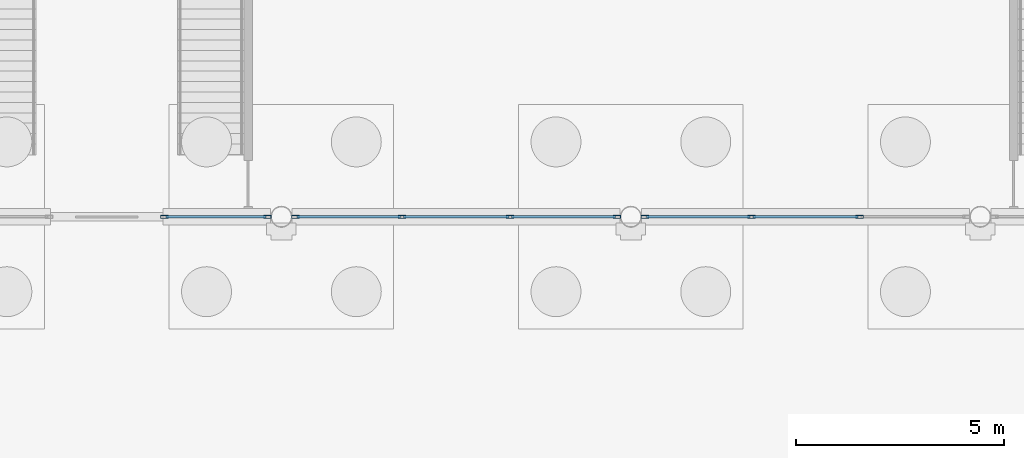
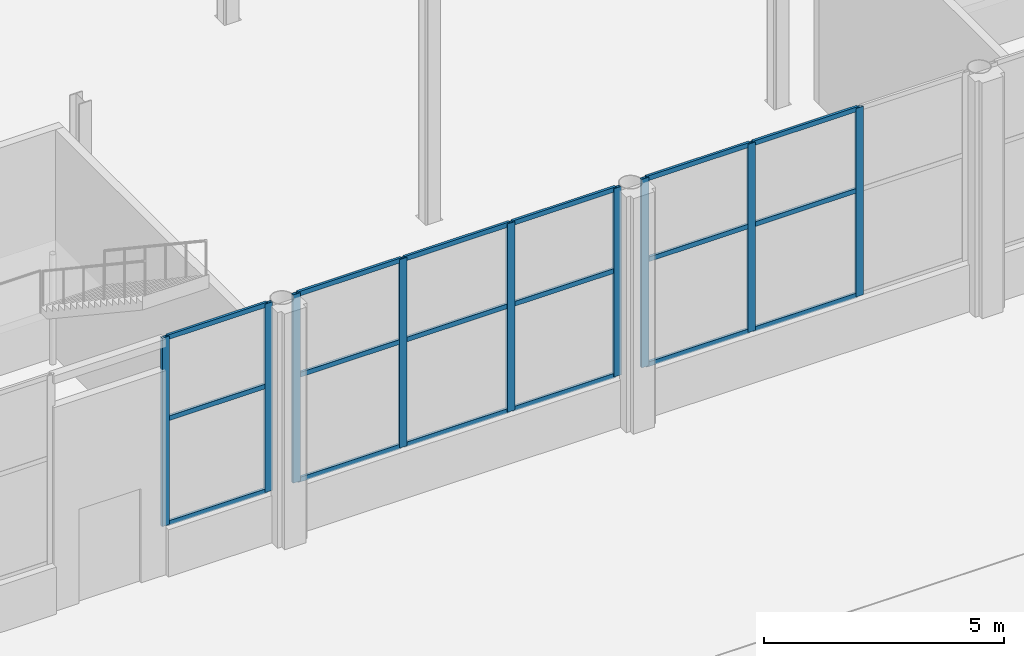
# One storey, part 109 of 212: 27 members, 3 elements without a shape of their own.
"""IFC4 building model written with IfcOpenShell, lengths in metres."""

from ifc_helpers import new_model, si_unit, direction, frame, origin, origin_2d, place, context, subcontext, project, spatial, hollow_rectangle, extrude, material, material_profile, profile_set, type_object, element, aggregate, save


model = new_model("IFC4")

# Units and contexts
model_context = context("Model", 3, precision=1e-05, world=origin(), true_north=direction((0.0, 1.0)))
body_context = subcontext(model_context, "Body", "Model", "MODEL_VIEW")
ifc_project = project(units=[si_unit("LENGTHUNIT", "METRE"), si_unit("AREAUNIT", "SQUARE_METRE"), si_unit("VOLUMEUNIT", "CUBIC_METRE"), si_unit("PLANEANGLEUNIT", "RADIAN"), si_unit("MASSUNIT", "GRAM", prefix="KILO")], contexts=[model_context])

# Site, building, storey
site_placement = place(None, origin())
site = spatial("IfcSite", under=ifc_project, at=site_placement, CompositionType="ELEMENT")
building_placement = place(site_placement, origin())
building = spatial("IfcBuilding", under=site, at=building_placement, Name="Catenary Quay Ferry Terminal", CompositionType="ELEMENT")
storey_placement = place(building_placement, origin())
storey = spatial("IfcBuildingStorey", under=building, at=storey_placement, Name="L00", CompositionType="ELEMENT", Elevation=0.0)

# Curtain wall, members
ifc_material_1 = material(Name="Aluminium and glass", Category="aluminium")
curtain_wall_type = type_object("IfcCurtainWallType", Name="CWH", PredefinedType="NOTDEFINED", material=ifc_material_1)
curtain_wall_1_placement = place(storey_placement, origin())
curtain_wall_1 = element("IfcCurtainWall", 1, at=curtain_wall_1_placement, inside=storey, type_object=curtain_wall_type, Name="Hall curtain wall CW27", PredefinedType="NOTDEFINED")
ifc_material_2 = material(Name="Aluminium", Category="aluminium")
ifc_material_profile_1 = material_profile(ifc_material_2, hollow_rectangle(XDim=0.070068359375, YDim=0.179931640625, WallThickness=0.006103515625, at=origin_2d()), Name="MU3")
ifc_profile_set_1 = profile_set([ifc_material_profile_1], Name="Aluminium")
member_type_1 = type_object("IfcMemberType", Name="MU3", PredefinedType="MULLION", material=ifc_profile_set_1)
member_1_placement = place(storey_placement, frame((64.385009765625, 67.199951171875, 1.199951171875), z_axis=(0.0, 0.0, 1.0), x_axis=(0.0, 1.0, 0.0)))
member_1 = element("IfcMember", 2, at=member_1_placement, type_object=member_type_1, Name="CW27 mullion 1", PredefinedType="MULLION", context=body_context, shape_type="SweptSolid", body=[
    extrude(hollow_rectangle(XDim=0.070068359375, YDim=0.179931640625, WallThickness=0.006103515625, at=origin_2d()), origin(), (0.0, 0.0, 1.0), 4.800048828125),
])
member_2_placement = place(storey_placement, frame((66.864990234375, 67.199951171875, 1.199951171875), z_axis=(0.0, 0.0, 1.0), x_axis=(0.0, 1.0, 0.0)))
member_2 = element("IfcMember", 3, at=member_2_placement, type_object=member_type_1, Name="CW27 mullion 2", PredefinedType="MULLION", context=body_context, shape_type="SweptSolid", body=[
    extrude(hollow_rectangle(XDim=0.070068359375, YDim=0.179931640625, WallThickness=0.006103515625, at=origin_2d()), origin(), (0.0, 0.0, 1.0), 4.800048828125),
])

curtain_wall_2_placement = place(storey_placement, origin())
curtain_wall_2 = element("IfcCurtainWall", 4, at=curtain_wall_2_placement, inside=storey, type_object=curtain_wall_type, Name="Hall curtain wall CW28", PredefinedType="NOTDEFINED")
member_3_placement = place(storey_placement, frame((67.534912109375, 67.199951171875, 1.199951171875), z_axis=(0.0, 0.0, 1.0), x_axis=(0.0, 1.0, 0.0)))
member_3 = element("IfcMember", 5, at=member_3_placement, type_object=member_type_1, Name="CW28 mullion 1", PredefinedType="MULLION", context=body_context, shape_type="SweptSolid", body=[
    extrude(hollow_rectangle(XDim=0.070068359375, YDim=0.179931640625, WallThickness=0.006103515625, at=origin_2d()), origin(), (0.0, 0.0, 1.0), 4.800048828125),
])
member_4_placement = place(storey_placement, frame((70.10009765625, 67.199951171875, 1.199951171875), z_axis=(0.0, 0.0, 1.0), x_axis=(0.0, 1.0, 0.0)))
member_4 = element("IfcMember", 6, at=member_4_placement, type_object=member_type_1, Name="CW28 mullion 2", PredefinedType="MULLION", context=body_context, shape_type="SweptSolid", body=[
    extrude(hollow_rectangle(XDim=0.070068359375, YDim=0.179931640625, WallThickness=0.006103515625, at=origin_2d()), origin(), (0.0, 0.0, 1.0), 4.800048828125),
])
member_5_placement = place(storey_placement, frame((72.699951171875, 67.199951171875, 1.199951171875), z_axis=(0.0, 0.0, 1.0), x_axis=(0.0, 1.0, 0.0)))
member_5 = element("IfcMember", 7, at=member_5_placement, type_object=member_type_1, Name="CW28 mullion 3", PredefinedType="MULLION", context=body_context, shape_type="SweptSolid", body=[
    extrude(hollow_rectangle(XDim=0.070068359375, YDim=0.179931640625, WallThickness=0.006103515625, at=origin_2d()), origin(), (0.0, 0.0, 1.0), 4.800048828125),
])
member_6_placement = place(storey_placement, frame((75.264892578125, 67.199951171875, 1.199951171875), z_axis=(0.0, 0.0, 1.0), x_axis=(0.0, 1.0, 0.0)))
member_6 = element("IfcMember", 8, at=member_6_placement, type_object=member_type_1, Name="CW28 mullion 4", PredefinedType="MULLION", context=body_context, shape_type="SweptSolid", body=[
    extrude(hollow_rectangle(XDim=0.070068359375, YDim=0.179931640625, WallThickness=0.006103515625, at=origin_2d()), origin(), (0.0, 0.0, 1.0), 4.800048828125),
])

curtain_wall_3_placement = place(storey_placement, origin())
curtain_wall_3 = element("IfcCurtainWall", 9, at=curtain_wall_3_placement, inside=storey, type_object=curtain_wall_type, Name="Hall curtain wall CW29", PredefinedType="NOTDEFINED")
member_7_placement = place(storey_placement, frame((75.93505859375, 67.199951171875, 1.199951171875), z_axis=(0.0, 0.0, 1.0), x_axis=(0.0, 1.0, 0.0)))
member_7 = element("IfcMember", 10, at=member_7_placement, type_object=member_type_1, Name="CW29 mullion 1", PredefinedType="MULLION", context=body_context, shape_type="SweptSolid", body=[
    extrude(hollow_rectangle(XDim=0.070068359375, YDim=0.179931640625, WallThickness=0.006103515625, at=origin_2d()), origin(), (0.0, 0.0, 1.0), 4.800048828125),
])
member_8_placement = place(storey_placement, frame((78.5, 67.199951171875, 1.199951171875), z_axis=(0.0, 0.0, 1.0), x_axis=(0.0, 1.0, 0.0)))
member_8 = element("IfcMember", 11, at=member_8_placement, type_object=member_type_1, Name="CW29 mullion 2", PredefinedType="MULLION", context=body_context, shape_type="SweptSolid", body=[
    extrude(hollow_rectangle(XDim=0.070068359375, YDim=0.179931640625, WallThickness=0.006103515625, at=origin_2d()), origin(), (0.0, 0.0, 1.0), 4.800048828125),
])
member_9_placement = place(storey_placement, frame((81.10009765625, 67.199951171875, 1.199951171875), z_axis=(0.0, 0.0, 1.0), x_axis=(0.0, 1.0, 0.0)))
member_9 = element("IfcMember", 12, at=member_9_placement, type_object=member_type_1, Name="CW29 mullion 3", PredefinedType="MULLION", context=body_context, shape_type="SweptSolid", body=[
    extrude(hollow_rectangle(XDim=0.070068359375, YDim=0.179931640625, WallThickness=0.006103515625, at=origin_2d()), origin(), (0.0, 0.0, 1.0), 4.800048828125),
])

# Member
ifc_material_3 = material(Name="Aluminium", Category="aluminium")
ifc_material_profile_2 = material_profile(ifc_material_3, hollow_rectangle(XDim=0.06005859375, YDim=0.1201171875, WallThickness=0.0048828125, at=origin_2d()), Name="TR3")
ifc_profile_set_2 = profile_set([ifc_material_profile_2], Name="Aluminium")
member_type_2 = type_object("IfcMemberType", Name="TR3", PredefinedType="USERDEFINED", material=ifc_profile_set_2)
member_10_placement = place(storey_placement, frame((64.419921875, 67.199951171875, 1.22998046875), z_axis=(1.0, 0.0, 0.0), x_axis=(0.0, 1.0, 0.0)))
member_10 = element("IfcMember", 13, at=member_10_placement, type_object=member_type_2, Name="CW27 transom 1.1", ObjectType="TRANSOM", PredefinedType="USERDEFINED", context=body_context, shape_type="SweptSolid", body=[
    extrude(hollow_rectangle(XDim=0.06005859375, YDim=0.1201171875, WallThickness=0.0048828125, at=origin_2d()), origin(), (0.0, 0.0, 1.0), 2.41015625),
])

member_11_placement = place(storey_placement, frame((64.419921875, 67.199951171875, 3.89990234375), z_axis=(1.0, 0.0, 0.0), x_axis=(0.0, 1.0, 0.0)))
member_11 = element("IfcMember", 14, at=member_11_placement, type_object=member_type_2, Name="CW27 transom 1.2", ObjectType="TRANSOM", PredefinedType="USERDEFINED", context=body_context, shape_type="SweptSolid", body=[
    extrude(hollow_rectangle(XDim=0.06005859375, YDim=0.1201171875, WallThickness=0.0048828125, at=origin_2d()), origin(), (0.0, 0.0, 1.0), 2.41015625),
])

member_12_placement = place(storey_placement, frame((64.419921875, 67.199951171875, 5.969970703125), z_axis=(1.0, 0.0, 0.0), x_axis=(0.0, 1.0, 0.0)))
member_12 = element("IfcMember", 15, at=member_12_placement, type_object=member_type_2, Name="CW27 transom 1.3", ObjectType="TRANSOM", PredefinedType="USERDEFINED", context=body_context, shape_type="SweptSolid", body=[
    extrude(hollow_rectangle(XDim=0.06005859375, YDim=0.1201171875, WallThickness=0.0048828125, at=origin_2d()), origin(), (0.0, 0.0, 1.0), 2.41015625),
])

aggregate(curtain_wall_1, [member_1, member_2, member_10, member_11, member_12])

member_13_placement = place(storey_placement, frame((67.570068359375, 67.199951171875, 1.22998046875), z_axis=(1.0, 0.0, 0.0), x_axis=(0.0, 1.0, 0.0)))
member_13 = element("IfcMember", 16, at=member_13_placement, type_object=member_type_2, Name="CW28 transom 1.1", ObjectType="TRANSOM", PredefinedType="USERDEFINED", context=body_context, shape_type="SweptSolid", body=[
    extrude(hollow_rectangle(XDim=0.06005859375, YDim=0.1201171875, WallThickness=0.0048828125, at=origin_2d()), origin(), (0.0, 0.0, 1.0), 2.494873046875),
])

member_14_placement = place(storey_placement, frame((67.570068359375, 67.199951171875, 3.89990234375), z_axis=(1.0, 0.0, 0.0), x_axis=(0.0, 1.0, 0.0)))
member_14 = element("IfcMember", 17, at=member_14_placement, type_object=member_type_2, Name="CW28 transom 1.2", ObjectType="TRANSOM", PredefinedType="USERDEFINED", context=body_context, shape_type="SweptSolid", body=[
    extrude(hollow_rectangle(XDim=0.06005859375, YDim=0.1201171875, WallThickness=0.0048828125, at=origin_2d()), origin(), (0.0, 0.0, 1.0), 2.494873046875),
])

member_15_placement = place(storey_placement, frame((67.570068359375, 67.199951171875, 5.969970703125), z_axis=(1.0, 0.0, 0.0), x_axis=(0.0, 1.0, 0.0)))
member_15 = element("IfcMember", 18, at=member_15_placement, type_object=member_type_2, Name="CW28 transom 1.3", ObjectType="TRANSOM", PredefinedType="USERDEFINED", context=body_context, shape_type="SweptSolid", body=[
    extrude(hollow_rectangle(XDim=0.06005859375, YDim=0.1201171875, WallThickness=0.0048828125, at=origin_2d()), origin(), (0.0, 0.0, 1.0), 2.494873046875),
])

member_16_placement = place(storey_placement, frame((70.135009765625, 67.199951171875, 1.22998046875), z_axis=(1.0, 0.0, 0.0), x_axis=(0.0, 1.0, 0.0)))
member_16 = element("IfcMember", 19, at=member_16_placement, type_object=member_type_2, Name="CW28 transom 2.1", ObjectType="TRANSOM", PredefinedType="USERDEFINED", context=body_context, shape_type="SweptSolid", body=[
    extrude(hollow_rectangle(XDim=0.06005859375, YDim=0.1201171875, WallThickness=0.0048828125, at=origin_2d()), origin(), (0.0, 0.0, 1.0), 2.530029296875),
])

member_17_placement = place(storey_placement, frame((70.135009765625, 67.199951171875, 3.89990234375), z_axis=(1.0, 0.0, 0.0), x_axis=(0.0, 1.0, 0.0)))
member_17 = element("IfcMember", 20, at=member_17_placement, type_object=member_type_2, Name="CW28 transom 2.2", ObjectType="TRANSOM", PredefinedType="USERDEFINED", context=body_context, shape_type="SweptSolid", body=[
    extrude(hollow_rectangle(XDim=0.06005859375, YDim=0.1201171875, WallThickness=0.0048828125, at=origin_2d()), origin(), (0.0, 0.0, 1.0), 2.530029296875),
])

member_18_placement = place(storey_placement, frame((70.135009765625, 67.199951171875, 5.969970703125), z_axis=(1.0, 0.0, 0.0), x_axis=(0.0, 1.0, 0.0)))
member_18 = element("IfcMember", 21, at=member_18_placement, type_object=member_type_2, Name="CW28 transom 2.3", ObjectType="TRANSOM", PredefinedType="USERDEFINED", context=body_context, shape_type="SweptSolid", body=[
    extrude(hollow_rectangle(XDim=0.06005859375, YDim=0.1201171875, WallThickness=0.0048828125, at=origin_2d()), origin(), (0.0, 0.0, 1.0), 2.530029296875),
])

member_19_placement = place(storey_placement, frame((72.735107421875, 67.199951171875, 1.22998046875), z_axis=(1.0, 0.0, 0.0), x_axis=(0.0, 1.0, 0.0)))
member_19 = element("IfcMember", 22, at=member_19_placement, type_object=member_type_2, Name="CW28 transom 3.1", ObjectType="TRANSOM", PredefinedType="USERDEFINED", context=body_context, shape_type="SweptSolid", body=[
    extrude(hollow_rectangle(XDim=0.06005859375, YDim=0.1201171875, WallThickness=0.0048828125, at=origin_2d()), origin(), (0.0, 0.0, 1.0), 2.494873046875),
])

member_20_placement = place(storey_placement, frame((72.735107421875, 67.199951171875, 3.89990234375), z_axis=(1.0, 0.0, 0.0), x_axis=(0.0, 1.0, 0.0)))
member_20 = element("IfcMember", 23, at=member_20_placement, type_object=member_type_2, Name="CW28 transom 3.2", ObjectType="TRANSOM", PredefinedType="USERDEFINED", context=body_context, shape_type="SweptSolid", body=[
    extrude(hollow_rectangle(XDim=0.06005859375, YDim=0.1201171875, WallThickness=0.0048828125, at=origin_2d()), origin(), (0.0, 0.0, 1.0), 2.494873046875),
])

member_21_placement = place(storey_placement, frame((72.735107421875, 67.199951171875, 5.969970703125), z_axis=(1.0, 0.0, 0.0), x_axis=(0.0, 1.0, 0.0)))
member_21 = element("IfcMember", 24, at=member_21_placement, type_object=member_type_2, Name="CW28 transom 3.3", ObjectType="TRANSOM", PredefinedType="USERDEFINED", context=body_context, shape_type="SweptSolid", body=[
    extrude(hollow_rectangle(XDim=0.06005859375, YDim=0.1201171875, WallThickness=0.0048828125, at=origin_2d()), origin(), (0.0, 0.0, 1.0), 2.494873046875),
])

aggregate(curtain_wall_2, [member_3, member_4, member_5, member_6, member_13, member_14, member_15, member_16, member_17, member_18, member_19, member_20, member_21])

member_22_placement = place(storey_placement, frame((75.969970703125, 67.199951171875, 1.22998046875), z_axis=(1.0, 0.0, 0.0), x_axis=(0.0, 1.0, 0.0)))
member_22 = element("IfcMember", 25, at=member_22_placement, type_object=member_type_2, Name="CW29 transom 1.1", ObjectType="TRANSOM", PredefinedType="USERDEFINED", context=body_context, shape_type="SweptSolid", body=[
    extrude(hollow_rectangle(XDim=0.06005859375, YDim=0.1201171875, WallThickness=0.0048828125, at=origin_2d()), origin(), (0.0, 0.0, 1.0), 2.4951171875),
])

member_23_placement = place(storey_placement, frame((75.969970703125, 67.199951171875, 3.89990234375), z_axis=(1.0, 0.0, 0.0), x_axis=(0.0, 1.0, 0.0)))
member_23 = element("IfcMember", 26, at=member_23_placement, type_object=member_type_2, Name="CW29 transom 1.2", ObjectType="TRANSOM", PredefinedType="USERDEFINED", context=body_context, shape_type="SweptSolid", body=[
    extrude(hollow_rectangle(XDim=0.06005859375, YDim=0.1201171875, WallThickness=0.0048828125, at=origin_2d()), origin(), (0.0, 0.0, 1.0), 2.4951171875),
])

member_24_placement = place(storey_placement, frame((75.969970703125, 67.199951171875, 5.969970703125), z_axis=(1.0, 0.0, 0.0), x_axis=(0.0, 1.0, 0.0)))
member_24 = element("IfcMember", 27, at=member_24_placement, type_object=member_type_2, Name="CW29 transom 1.3", ObjectType="TRANSOM", PredefinedType="USERDEFINED", context=body_context, shape_type="SweptSolid", body=[
    extrude(hollow_rectangle(XDim=0.06005859375, YDim=0.1201171875, WallThickness=0.0048828125, at=origin_2d()), origin(), (0.0, 0.0, 1.0), 2.4951171875),
])

member_25_placement = place(storey_placement, frame((78.534912109375, 67.199951171875, 1.22998046875), z_axis=(1.0, 0.0, 0.0), x_axis=(0.0, 1.0, 0.0)))
member_25 = element("IfcMember", 28, at=member_25_placement, type_object=member_type_2, Name="CW29 transom 2.1", ObjectType="TRANSOM", PredefinedType="USERDEFINED", context=body_context, shape_type="SweptSolid", body=[
    extrude(hollow_rectangle(XDim=0.06005859375, YDim=0.1201171875, WallThickness=0.0048828125, at=origin_2d()), origin(), (0.0, 0.0, 1.0), 2.530029296875),
])

member_26_placement = place(storey_placement, frame((78.534912109375, 67.199951171875, 3.89990234375), z_axis=(1.0, 0.0, 0.0), x_axis=(0.0, 1.0, 0.0)))
member_26 = element("IfcMember", 29, at=member_26_placement, type_object=member_type_2, Name="CW29 transom 2.2", ObjectType="TRANSOM", PredefinedType="USERDEFINED", context=body_context, shape_type="SweptSolid", body=[
    extrude(hollow_rectangle(XDim=0.06005859375, YDim=0.1201171875, WallThickness=0.0048828125, at=origin_2d()), origin(), (0.0, 0.0, 1.0), 2.530029296875),
])

member_27_placement = place(storey_placement, frame((78.534912109375, 67.199951171875, 5.969970703125), z_axis=(1.0, 0.0, 0.0), x_axis=(0.0, 1.0, 0.0)))
member_27 = element("IfcMember", 30, at=member_27_placement, type_object=member_type_2, Name="CW29 transom 2.3", ObjectType="TRANSOM", PredefinedType="USERDEFINED", context=body_context, shape_type="SweptSolid", body=[
    extrude(hollow_rectangle(XDim=0.06005859375, YDim=0.1201171875, WallThickness=0.0048828125, at=origin_2d()), origin(), (0.0, 0.0, 1.0), 2.530029296875),
])

aggregate(curtain_wall_3, [member_7, member_8, member_9, member_22, member_23, member_24, member_25, member_26, member_27])

save(model, "model.ifc")
